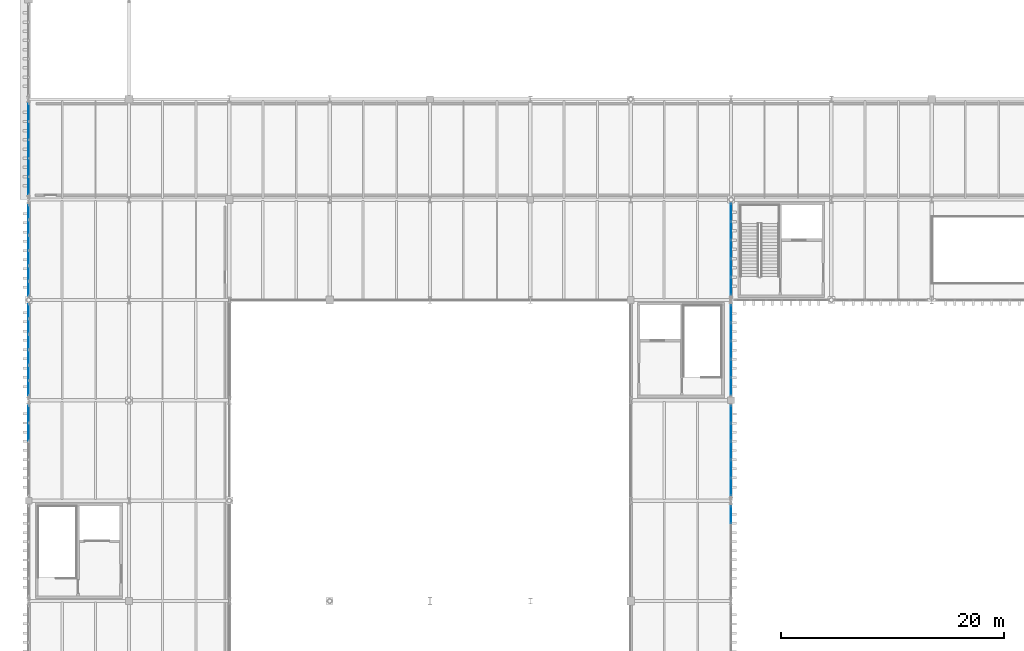
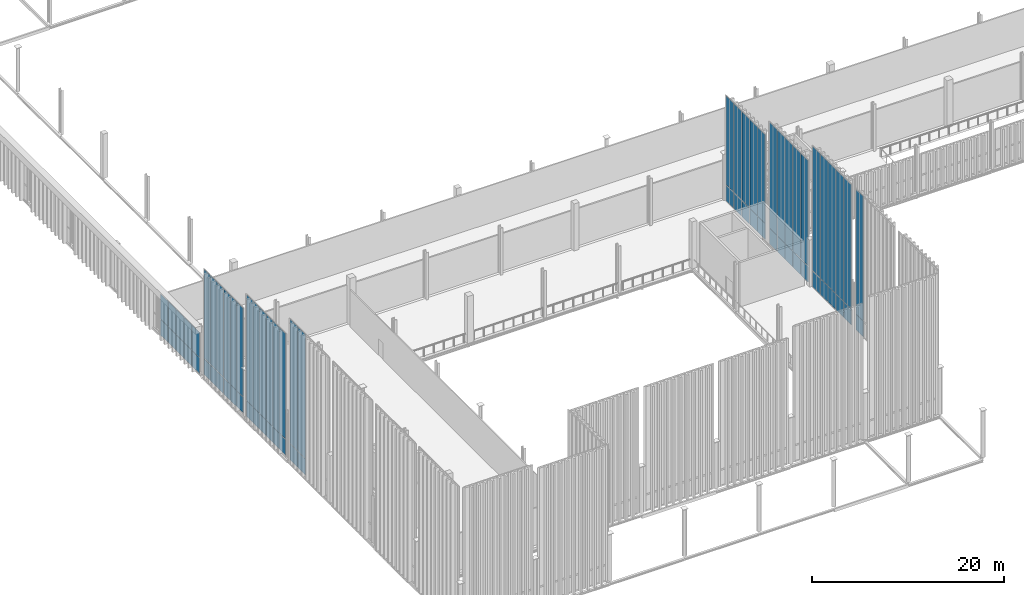
# One storey, part 183 of 237: 70 plates, 8 elements without a shape of their own.
"""IFC4 building model written with IfcOpenShell, lengths in metres."""

from ifc_helpers import new_model, si_unit, direction, frame, origin, origin_2d, place, context, subcontext, project, spatial, rectangle, extrude, material, layer, layer_set, type_object, element, aggregate, save


model = new_model("IFC4")

# Units and contexts
model_context = context("Model", 3, precision=1e-05, world=origin(), true_north=direction((0.0, 1.0)))
body_context = subcontext(model_context, "Body", "Model", "MODEL_VIEW")
ifc_project = project(units=[si_unit("LENGTHUNIT", "METRE"), si_unit("AREAUNIT", "SQUARE_METRE"), si_unit("VOLUMEUNIT", "CUBIC_METRE"), si_unit("PLANEANGLEUNIT", "RADIAN"), si_unit("MASSUNIT", "GRAM", prefix="KILO")], contexts=[model_context])

# Site, building, storey
site_placement = place(None, origin())
site = spatial("IfcSite", under=ifc_project, at=site_placement, CompositionType="ELEMENT")
building_placement = place(site_placement, origin())
building = spatial("IfcBuilding", under=site, at=building_placement, Name="Barlavento Convention Centre", CompositionType="ELEMENT")
storey_placement = place(building_placement, frame((0.0, 0.0, 12.0)))
storey = spatial("IfcBuildingStorey", under=building, at=storey_placement, Name="L02", CompositionType="ELEMENT", Elevation=12.0)

# Curtain wall, plates
ifc_material_1 = material(Name="Powder-coated aluminium and Low-E glass", Category="aluminium")
ifc_layer_1 = layer(ifc_material_1, 0.18994140625)
ifc_layer_set_1 = layer_set([ifc_layer_1], Name="ARC-CW-CONG-L02")
curtain_wall_type_1 = type_object("IfcCurtainWallType", Name="ARC-CW-CONG-L02", PredefinedType="NOTDEFINED", material=ifc_layer_set_1)
curtain_wall_1_placement = place(storey_placement, origin())
curtain_wall_1 = element("IfcCurtainWall", 1, at=curtain_wall_1_placement, inside=storey, type_object=curtain_wall_type_1, Name="L02 unitised curtain wall CW02", PredefinedType="NOTDEFINED")
ifc_material_2 = material(Name="Triple-glazed typhoon vision glass", Category="glass")
ifc_layer_2 = layer(ifc_material_2, 0.035888671875)
ifc_layer_set_2 = layer_set([ifc_layer_2], Name="ARC-CWP-GLZ36")
plate_type_1 = type_object("IfcPlateType", Name="ARC-CWP-GLZ36", PredefinedType="CURTAIN_PANEL", material=ifc_layer_set_2)
plate_1_placement = place(storey_placement, frame((0.0, 33.147705078125, 0.06982421875), z_axis=(0.0, 0.0, 1.0), x_axis=(0.0, 1.0, 0.0)))
plate_1 = element("IfcPlate", 2, at=plate_1_placement, type_object=plate_type_1, Name="CW02 panel 4.1", PredefinedType="CURTAIN_PANEL", context=body_context, shape_type="SweptSolid", body=[
    extrude(rectangle(XDim=1.56591796875, YDim=0.035888671875, at=origin_2d()), origin(), (0.0, 0.0, 1.0), 1.9951171875),
])
plate_2_placement = place(storey_placement, frame((0.0, 33.147705078125, 2.135009765625), z_axis=(0.0, 0.0, 1.0), x_axis=(0.0, 1.0, 0.0)))
plate_2 = element("IfcPlate", 3, at=plate_2_placement, type_object=plate_type_1, Name="CW02 panel 4.2", PredefinedType="CURTAIN_PANEL", context=body_context, shape_type="SweptSolid", body=[
    extrude(rectangle(XDim=1.56591796875, YDim=0.035888671875, at=origin_2d()), origin(), (0.0, 0.0, 1.0), 15.83203125),
])
plate_3_placement = place(storey_placement, frame((0.0, 34.769775390625, 0.06982421875), z_axis=(0.0, 0.0, 1.0), x_axis=(0.0, 1.0, 0.0)))
plate_3 = element("IfcPlate", 4, at=plate_3_placement, type_object=plate_type_1, Name="CW02 panel 5.1", PredefinedType="CURTAIN_PANEL", context=body_context, shape_type="SweptSolid", body=[
    extrude(rectangle(XDim=1.5283203125, YDim=0.035888671875, at=origin_2d()), origin(), (0.0, 0.0, 1.0), 1.9951171875),
])
plate_4_placement = place(storey_placement, frame((0.0, 34.769775390625, 2.135009765625), z_axis=(0.0, 0.0, 1.0), x_axis=(0.0, 1.0, 0.0)))
plate_4 = element("IfcPlate", 5, at=plate_4_placement, type_object=plate_type_1, Name="CW02 panel 5.2", PredefinedType="CURTAIN_PANEL", context=body_context, shape_type="SweptSolid", body=[
    extrude(rectangle(XDim=1.5283203125, YDim=0.035888671875, at=origin_2d()), origin(), (0.0, 0.0, 1.0), 15.83203125),
])
aggregate(curtain_wall_1, [plate_1, plate_2, plate_3, plate_4])

curtain_wall_2_placement = place(storey_placement, origin())
curtain_wall_2 = element("IfcCurtainWall", 6, at=curtain_wall_2_placement, inside=storey, type_object=curtain_wall_type_1, Name="L02 unitised curtain wall CW02", PredefinedType="NOTDEFINED")
plate_5_placement = place(storey_placement, frame((0.0, 37.1015625, 0.06982421875), z_axis=(0.0, 0.0, 1.0), x_axis=(0.0, 1.0, 0.0)))
plate_5 = element("IfcPlate", 7, at=plate_5_placement, type_object=plate_type_1, Name="CW02 panel 1.1", PredefinedType="CURTAIN_PANEL", context=body_context, shape_type="SweptSolid", body=[
    extrude(rectangle(XDim=1.27099609375, YDim=0.035888671875, at=origin_2d()), origin(), (0.0, 0.0, 1.0), 1.9951171875),
])
plate_6_placement = place(storey_placement, frame((0.0, 37.1015625, 2.135009765625), z_axis=(0.0, 0.0, 1.0), x_axis=(0.0, 1.0, 0.0)))
plate_6 = element("IfcPlate", 8, at=plate_6_placement, type_object=plate_type_1, Name="CW02 panel 1.2", PredefinedType="CURTAIN_PANEL", context=body_context, shape_type="SweptSolid", body=[
    extrude(rectangle(XDim=1.27099609375, YDim=0.035888671875, at=origin_2d()), origin(), (0.0, 0.0, 1.0), 13.43603515625),
])
plate_7_placement = place(storey_placement, frame((0.0, 38.46630859375, 0.06982421875), z_axis=(0.0, 0.0, 1.0), x_axis=(0.0, 1.0, 0.0)))
plate_7 = element("IfcPlate", 9, at=plate_7_placement, type_object=plate_type_1, Name="CW02 panel 2.1", PredefinedType="CURTAIN_PANEL", context=body_context, shape_type="SweptSolid", body=[
    extrude(rectangle(XDim=1.308349609375, YDim=0.035888671875, at=origin_2d()), origin(), (0.0, 0.0, 1.0), 1.9951171875),
])
plate_8_placement = place(storey_placement, frame((0.0, 38.46630859375, 2.135009765625), z_axis=(0.0, 0.0, 1.0), x_axis=(0.0, 1.0, 0.0)))
plate_8 = element("IfcPlate", 10, at=plate_8_placement, type_object=plate_type_1, Name="CW02 panel 2.2", PredefinedType="CURTAIN_PANEL", context=body_context, shape_type="SweptSolid", body=[
    extrude(rectangle(XDim=1.308349609375, YDim=0.035888671875, at=origin_2d()), origin(), (0.0, 0.0, 1.0), 13.43603515625),
])
plate_9_placement = place(storey_placement, frame((0.0, 39.849609375, 0.06982421875), z_axis=(0.0, 0.0, 1.0), x_axis=(0.0, 1.0, 0.0)))
plate_9 = element("IfcPlate", 11, at=plate_9_placement, type_object=plate_type_1, Name="CW02 panel 3.1", PredefinedType="CURTAIN_PANEL", context=body_context, shape_type="SweptSolid", body=[
    extrude(rectangle(XDim=1.308349609375, YDim=0.035888671875, at=origin_2d()), origin(), (0.0, 0.0, 1.0), 1.9951171875),
])
plate_10_placement = place(storey_placement, frame((0.0, 39.849609375, 2.135009765625), z_axis=(0.0, 0.0, 1.0), x_axis=(0.0, 1.0, 0.0)))
plate_10 = element("IfcPlate", 12, at=plate_10_placement, type_object=plate_type_1, Name="CW02 panel 3.2", PredefinedType="CURTAIN_PANEL", context=body_context, shape_type="SweptSolid", body=[
    extrude(rectangle(XDim=1.308349609375, YDim=0.035888671875, at=origin_2d()), origin(), (0.0, 0.0, 1.0), 13.43603515625),
])
plate_11_placement = place(storey_placement, frame((0.0, 41.233154296875, 0.06982421875), z_axis=(0.0, 0.0, 1.0), x_axis=(0.0, 1.0, 0.0)))
plate_11 = element("IfcPlate", 13, at=plate_11_placement, type_object=plate_type_1, Name="CW02 panel 4.1", PredefinedType="CURTAIN_PANEL", context=body_context, shape_type="SweptSolid", body=[
    extrude(rectangle(XDim=1.308349609375, YDim=0.035888671875, at=origin_2d()), origin(), (0.0, 0.0, 1.0), 1.9951171875),
])
plate_12_placement = place(storey_placement, frame((0.0, 41.233154296875, 2.135009765625), z_axis=(0.0, 0.0, 1.0), x_axis=(0.0, 1.0, 0.0)))
plate_12 = element("IfcPlate", 14, at=plate_12_placement, type_object=plate_type_1, Name="CW02 panel 4.2", PredefinedType="CURTAIN_PANEL", context=body_context, shape_type="SweptSolid", body=[
    extrude(rectangle(XDim=1.308349609375, YDim=0.035888671875, at=origin_2d()), origin(), (0.0, 0.0, 1.0), 13.43603515625),
])
plate_13_placement = place(storey_placement, frame((0.0, 42.61669921875, 0.06982421875), z_axis=(0.0, 0.0, 1.0), x_axis=(0.0, 1.0, 0.0)))
plate_13 = element("IfcPlate", 15, at=plate_13_placement, type_object=plate_type_1, Name="CW02 panel 5.1", PredefinedType="CURTAIN_PANEL", context=body_context, shape_type="SweptSolid", body=[
    extrude(rectangle(XDim=1.308349609375, YDim=0.035888671875, at=origin_2d()), origin(), (0.0, 0.0, 1.0), 1.9951171875),
])
plate_14_placement = place(storey_placement, frame((0.0, 42.61669921875, 2.135009765625), z_axis=(0.0, 0.0, 1.0), x_axis=(0.0, 1.0, 0.0)))
plate_14 = element("IfcPlate", 16, at=plate_14_placement, type_object=plate_type_1, Name="CW02 panel 5.2", PredefinedType="CURTAIN_PANEL", context=body_context, shape_type="SweptSolid", body=[
    extrude(rectangle(XDim=1.308349609375, YDim=0.035888671875, at=origin_2d()), origin(), (0.0, 0.0, 1.0), 13.43603515625),
])
plate_15_placement = place(storey_placement, frame((0.0, 43.981201171875, 0.06982421875), z_axis=(0.0, 0.0, 1.0), x_axis=(0.0, 1.0, 0.0)))
plate_15 = element("IfcPlate", 17, at=plate_15_placement, type_object=plate_type_1, Name="CW02 panel 6.1", PredefinedType="CURTAIN_PANEL", context=body_context, shape_type="SweptSolid", body=[
    extrude(rectangle(XDim=1.27099609375, YDim=0.035888671875, at=origin_2d()), origin(), (0.0, 0.0, 1.0), 1.9951171875),
])
plate_16_placement = place(storey_placement, frame((0.0, 43.981201171875, 2.135009765625), z_axis=(0.0, 0.0, 1.0), x_axis=(0.0, 1.0, 0.0)))
plate_16 = element("IfcPlate", 18, at=plate_16_placement, type_object=plate_type_1, Name="CW02 panel 6.2", PredefinedType="CURTAIN_PANEL", context=body_context, shape_type="SweptSolid", body=[
    extrude(rectangle(XDim=1.27099609375, YDim=0.035888671875, at=origin_2d()), origin(), (0.0, 0.0, 1.0), 13.43603515625),
])
aggregate(curtain_wall_2, [plate_5, plate_6, plate_7, plate_8, plate_9, plate_10, plate_11, plate_12, plate_13, plate_14, plate_15, plate_16])

curtain_wall_3_placement = place(storey_placement, origin())
curtain_wall_3 = element("IfcCurtainWall", 19, at=curtain_wall_3_placement, inside=storey, type_object=curtain_wall_type_1, Name="L02 unitised curtain wall CW02", PredefinedType="NOTDEFINED")
plate_17_placement = place(storey_placement, frame((0.0, 46.0146484375, 0.06982421875), z_axis=(0.0, 0.0, 1.0), x_axis=(0.0, 1.0, 0.0)))
plate_17 = element("IfcPlate", 20, at=plate_17_placement, type_object=plate_type_1, Name="CW02 panel 1.1", PredefinedType="CURTAIN_PANEL", context=body_context, shape_type="SweptSolid", body=[
    extrude(rectangle(XDim=1.262939453125, YDim=0.035888671875, at=origin_2d()), origin(), (0.0, 0.0, 1.0), 1.9951171875),
])
plate_18_placement = place(storey_placement, frame((0.0, 46.0146484375, 2.134765625), z_axis=(0.0, 0.0, 1.0), x_axis=(0.0, 1.0, 0.0)))
plate_18 = element("IfcPlate", 21, at=plate_18_placement, type_object=plate_type_1, Name="CW02 panel 1.2", PredefinedType="CURTAIN_PANEL", context=body_context, shape_type="SweptSolid", body=[
    extrude(rectangle(XDim=1.262939453125, YDim=0.035888671875, at=origin_2d()), origin(), (0.0, 0.0, 1.0), 11.298095703125),
])
plate_19_placement = place(storey_placement, frame((0.0, 47.371337890625, 0.06982421875), z_axis=(0.0, 0.0, 1.0), x_axis=(0.0, 1.0, 0.0)))
plate_19 = element("IfcPlate", 22, at=plate_19_placement, type_object=plate_type_1, Name="CW02 panel 2.1", PredefinedType="CURTAIN_PANEL", context=body_context, shape_type="SweptSolid", body=[
    extrude(rectangle(XDim=1.300537109375, YDim=0.035888671875, at=origin_2d()), origin(), (0.0, 0.0, 1.0), 1.9951171875),
])
plate_20_placement = place(storey_placement, frame((0.0, 47.371337890625, 2.134765625), z_axis=(0.0, 0.0, 1.0), x_axis=(0.0, 1.0, 0.0)))
plate_20 = element("IfcPlate", 23, at=plate_20_placement, type_object=plate_type_1, Name="CW02 panel 2.2", PredefinedType="CURTAIN_PANEL", context=body_context, shape_type="SweptSolid", body=[
    extrude(rectangle(XDim=1.300537109375, YDim=0.035888671875, at=origin_2d()), origin(), (0.0, 0.0, 1.0), 11.298095703125),
])
plate_21_placement = place(storey_placement, frame((0.0, 48.746826171875, 0.06982421875), z_axis=(0.0, 0.0, 1.0), x_axis=(0.0, 1.0, 0.0)))
plate_21 = element("IfcPlate", 24, at=plate_21_placement, type_object=plate_type_1, Name="CW02 panel 3.1", PredefinedType="CURTAIN_PANEL", context=body_context, shape_type="SweptSolid", body=[
    extrude(rectangle(XDim=1.300537109375, YDim=0.035888671875, at=origin_2d()), origin(), (0.0, 0.0, 1.0), 1.9951171875),
])
plate_22_placement = place(storey_placement, frame((0.0, 48.746826171875, 2.134765625), z_axis=(0.0, 0.0, 1.0), x_axis=(0.0, 1.0, 0.0)))
plate_22 = element("IfcPlate", 25, at=plate_22_placement, type_object=plate_type_1, Name="CW02 panel 3.2", PredefinedType="CURTAIN_PANEL", context=body_context, shape_type="SweptSolid", body=[
    extrude(rectangle(XDim=1.300537109375, YDim=0.035888671875, at=origin_2d()), origin(), (0.0, 0.0, 1.0), 11.298095703125),
])
plate_23_placement = place(storey_placement, frame((0.0, 50.122314453125, 0.06982421875), z_axis=(0.0, 0.0, 1.0), x_axis=(0.0, 1.0, 0.0)))
plate_23 = element("IfcPlate", 26, at=plate_23_placement, type_object=plate_type_1, Name="CW02 panel 4.1", PredefinedType="CURTAIN_PANEL", context=body_context, shape_type="SweptSolid", body=[
    extrude(rectangle(XDim=1.300537109375, YDim=0.035888671875, at=origin_2d()), origin(), (0.0, 0.0, 1.0), 1.9951171875),
])
plate_24_placement = place(storey_placement, frame((0.0, 50.122314453125, 2.134765625), z_axis=(0.0, 0.0, 1.0), x_axis=(0.0, 1.0, 0.0)))
plate_24 = element("IfcPlate", 27, at=plate_24_placement, type_object=plate_type_1, Name="CW02 panel 4.2", PredefinedType="CURTAIN_PANEL", context=body_context, shape_type="SweptSolid", body=[
    extrude(rectangle(XDim=1.300537109375, YDim=0.035888671875, at=origin_2d()), origin(), (0.0, 0.0, 1.0), 11.298095703125),
])
plate_25_placement = place(storey_placement, frame((0.0, 51.497802734375, 0.06982421875), z_axis=(0.0, 0.0, 1.0), x_axis=(0.0, 1.0, 0.0)))
plate_25 = element("IfcPlate", 28, at=plate_25_placement, type_object=plate_type_1, Name="CW02 panel 5.1", PredefinedType="CURTAIN_PANEL", context=body_context, shape_type="SweptSolid", body=[
    extrude(rectangle(XDim=1.300537109375, YDim=0.035888671875, at=origin_2d()), origin(), (0.0, 0.0, 1.0), 1.9951171875),
])
plate_26_placement = place(storey_placement, frame((0.0, 51.497802734375, 2.134765625), z_axis=(0.0, 0.0, 1.0), x_axis=(0.0, 1.0, 0.0)))
plate_26 = element("IfcPlate", 29, at=plate_26_placement, type_object=plate_type_1, Name="CW02 panel 5.2", PredefinedType="CURTAIN_PANEL", context=body_context, shape_type="SweptSolid", body=[
    extrude(rectangle(XDim=1.300537109375, YDim=0.035888671875, at=origin_2d()), origin(), (0.0, 0.0, 1.0), 11.298095703125),
])
plate_27_placement = place(storey_placement, frame((0.0, 52.8544921875, 0.06982421875), z_axis=(0.0, 0.0, 1.0), x_axis=(0.0, 1.0, 0.0)))
plate_27 = element("IfcPlate", 30, at=plate_27_placement, type_object=plate_type_1, Name="CW02 panel 6.1", PredefinedType="CURTAIN_PANEL", context=body_context, shape_type="SweptSolid", body=[
    extrude(rectangle(XDim=1.262939453125, YDim=0.035888671875, at=origin_2d()), origin(), (0.0, 0.0, 1.0), 1.9951171875),
])
plate_28_placement = place(storey_placement, frame((0.0, 52.8544921875, 2.134765625), z_axis=(0.0, 0.0, 1.0), x_axis=(0.0, 1.0, 0.0)))
plate_28 = element("IfcPlate", 31, at=plate_28_placement, type_object=plate_type_1, Name="CW02 panel 6.2", PredefinedType="CURTAIN_PANEL", context=body_context, shape_type="SweptSolid", body=[
    extrude(rectangle(XDim=1.262939453125, YDim=0.035888671875, at=origin_2d()), origin(), (0.0, 0.0, 1.0), 11.298095703125),
])
aggregate(curtain_wall_3, [plate_17, plate_18, plate_19, plate_20, plate_21, plate_22, plate_23, plate_24, plate_25, plate_26, plate_27, plate_28])

curtain_wall_4_placement = place(storey_placement, origin())
curtain_wall_4 = element("IfcCurtainWall", 32, at=curtain_wall_4_placement, inside=storey, type_object=curtain_wall_type_1, Name="L02 unitised curtain wall CW02", PredefinedType="NOTDEFINED")
plate_29_placement = place(storey_placement, frame((63.0, 25.75830078125, 0.06982421875), z_axis=(0.0, 0.0, 1.0), x_axis=(0.0, 1.0, 0.0)))
plate_29 = element("IfcPlate", 33, at=plate_29_placement, type_object=plate_type_1, Name="CW02 panel 5.1", PredefinedType="CURTAIN_PANEL", context=body_context, shape_type="SweptSolid", body=[
    extrude(rectangle(XDim=1.5234375, YDim=0.035888671875, at=origin_2d()), origin(), (0.0, 0.0, 1.0), 1.9951171875),
])
plate_30_placement = place(storey_placement, frame((63.0, 25.75830078125, 2.135009765625), z_axis=(0.0, 0.0, 1.0), x_axis=(0.0, 1.0, 0.0)))
plate_30 = element("IfcPlate", 34, at=plate_30_placement, type_object=plate_type_1, Name="CW02 panel 5.2", PredefinedType="CURTAIN_PANEL", context=body_context, shape_type="SweptSolid", body=[
    extrude(rectangle(XDim=1.5234375, YDim=0.035888671875, at=origin_2d()), origin(), (0.0, 0.0, 1.0), 15.83203125),
])
aggregate(curtain_wall_4, [plate_29, plate_30])

curtain_wall_5_placement = place(storey_placement, origin())
curtain_wall_5 = element("IfcCurtainWall", 35, at=curtain_wall_5_placement, inside=storey, type_object=curtain_wall_type_1, Name="L02 unitised curtain wall CW02", PredefinedType="NOTDEFINED")
plate_31_placement = place(storey_placement, frame((63.0, 28.24267578125, 0.06982421875), z_axis=(0.0, 0.0, 1.0), x_axis=(0.0, 1.0, 0.0)))
plate_31 = element("IfcPlate", 36, at=plate_31_placement, type_object=plate_type_1, Name="CW02 panel 1.1", PredefinedType="CURTAIN_PANEL", context=body_context, shape_type="SweptSolid", body=[
    extrude(rectangle(XDim=1.525390625, YDim=0.035888671875, at=origin_2d()), origin(), (0.0, 0.0, 1.0), 1.9951171875),
])
plate_32_placement = place(storey_placement, frame((63.0, 28.24267578125, 2.135009765625), z_axis=(0.0, 0.0, 1.0), x_axis=(0.0, 1.0, 0.0)))
plate_32 = element("IfcPlate", 37, at=plate_32_placement, type_object=plate_type_1, Name="CW02 panel 1.2", PredefinedType="CURTAIN_PANEL", context=body_context, shape_type="SweptSolid", body=[
    extrude(rectangle(XDim=1.525390625, YDim=0.035888671875, at=origin_2d()), origin(), (0.0, 0.0, 1.0), 15.83203125),
])
plate_33_placement = place(storey_placement, frame((63.0, 29.862060546875, 0.06982421875), z_axis=(0.0, 0.0, 1.0), x_axis=(0.0, 1.0, 0.0)))
plate_33 = element("IfcPlate", 38, at=plate_33_placement, type_object=plate_type_1, Name="CW02 panel 2.1", PredefinedType="CURTAIN_PANEL", context=body_context, shape_type="SweptSolid", body=[
    extrude(rectangle(XDim=1.56298828125, YDim=0.035888671875, at=origin_2d()), origin(), (0.0, 0.0, 1.0), 1.9951171875),
])
plate_34_placement = place(storey_placement, frame((63.0, 29.862060546875, 2.135009765625), z_axis=(0.0, 0.0, 1.0), x_axis=(0.0, 1.0, 0.0)))
plate_34 = element("IfcPlate", 39, at=plate_34_placement, type_object=plate_type_1, Name="CW02 panel 2.2", PredefinedType="CURTAIN_PANEL", context=body_context, shape_type="SweptSolid", body=[
    extrude(rectangle(XDim=1.56298828125, YDim=0.035888671875, at=origin_2d()), origin(), (0.0, 0.0, 1.0), 15.83203125),
])
plate_35_placement = place(storey_placement, frame((63.0, 31.5, 0.06982421875), z_axis=(0.0, 0.0, 1.0), x_axis=(0.0, 1.0, 0.0)))
plate_35 = element("IfcPlate", 40, at=plate_35_placement, type_object=plate_type_1, Name="CW02 panel 3.1", PredefinedType="CURTAIN_PANEL", context=body_context, shape_type="SweptSolid", body=[
    extrude(rectangle(XDim=1.56298828125, YDim=0.035888671875, at=origin_2d()), origin(), (0.0, 0.0, 1.0), 1.9951171875),
])
plate_36_placement = place(storey_placement, frame((63.0, 31.5, 2.135009765625), z_axis=(0.0, 0.0, 1.0), x_axis=(0.0, 1.0, 0.0)))
plate_36 = element("IfcPlate", 41, at=plate_36_placement, type_object=plate_type_1, Name="CW02 panel 3.2", PredefinedType="CURTAIN_PANEL", context=body_context, shape_type="SweptSolid", body=[
    extrude(rectangle(XDim=1.56298828125, YDim=0.035888671875, at=origin_2d()), origin(), (0.0, 0.0, 1.0), 15.83203125),
])
plate_37_placement = place(storey_placement, frame((63.0, 33.137939453125, 0.06982421875), z_axis=(0.0, 0.0, 1.0), x_axis=(0.0, 1.0, 0.0)))
plate_37 = element("IfcPlate", 42, at=plate_37_placement, type_object=plate_type_1, Name="CW02 panel 4.1", PredefinedType="CURTAIN_PANEL", context=body_context, shape_type="SweptSolid", body=[
    extrude(rectangle(XDim=1.56298828125, YDim=0.035888671875, at=origin_2d()), origin(), (0.0, 0.0, 1.0), 1.9951171875),
])
plate_38_placement = place(storey_placement, frame((63.0, 33.137939453125, 2.135009765625), z_axis=(0.0, 0.0, 1.0), x_axis=(0.0, 1.0, 0.0)))
plate_38 = element("IfcPlate", 43, at=plate_38_placement, type_object=plate_type_1, Name="CW02 panel 4.2", PredefinedType="CURTAIN_PANEL", context=body_context, shape_type="SweptSolid", body=[
    extrude(rectangle(XDim=1.56298828125, YDim=0.035888671875, at=origin_2d()), origin(), (0.0, 0.0, 1.0), 15.83203125),
])
plate_39_placement = place(storey_placement, frame((63.0, 34.75732421875, 0.06982421875), z_axis=(0.0, 0.0, 1.0), x_axis=(0.0, 1.0, 0.0)))
plate_39 = element("IfcPlate", 44, at=plate_39_placement, type_object=plate_type_1, Name="CW02 panel 5.1", PredefinedType="CURTAIN_PANEL", context=body_context, shape_type="SweptSolid", body=[
    extrude(rectangle(XDim=1.525390625, YDim=0.035888671875, at=origin_2d()), origin(), (0.0, 0.0, 1.0), 1.9951171875),
])
plate_40_placement = place(storey_placement, frame((63.0, 34.75732421875, 2.135009765625), z_axis=(0.0, 0.0, 1.0), x_axis=(0.0, 1.0, 0.0)))
plate_40 = element("IfcPlate", 45, at=plate_40_placement, type_object=plate_type_1, Name="CW02 panel 5.2", PredefinedType="CURTAIN_PANEL", context=body_context, shape_type="SweptSolid", body=[
    extrude(rectangle(XDim=1.525390625, YDim=0.035888671875, at=origin_2d()), origin(), (0.0, 0.0, 1.0), 15.83203125),
])
aggregate(curtain_wall_5, [plate_31, plate_32, plate_33, plate_34, plate_35, plate_36, plate_37, plate_38, plate_39, plate_40])

curtain_wall_6_placement = place(storey_placement, origin())
curtain_wall_6 = element("IfcCurtainWall", 46, at=curtain_wall_6_placement, inside=storey, type_object=curtain_wall_type_1, Name="L02 unitised curtain wall CW02", PredefinedType="NOTDEFINED")
plate_41_placement = place(storey_placement, frame((63.0, 37.244140625, 0.06982421875), z_axis=(0.0, 0.0, 1.0), x_axis=(0.0, 1.0, 0.0)))
plate_41 = element("IfcPlate", 47, at=plate_41_placement, type_object=plate_type_1, Name="CW02 panel 1.1", PredefinedType="CURTAIN_PANEL", context=body_context, shape_type="SweptSolid", body=[
    extrude(rectangle(XDim=1.5283203125, YDim=0.035888671875, at=origin_2d()), origin(), (0.0, 0.0, 1.0), 1.9951171875),
])
plate_42_placement = place(storey_placement, frame((63.0, 37.244140625, 2.135009765625), z_axis=(0.0, 0.0, 1.0), x_axis=(0.0, 1.0, 0.0)))
plate_42 = element("IfcPlate", 48, at=plate_42_placement, type_object=plate_type_1, Name="CW02 panel 1.2", PredefinedType="CURTAIN_PANEL", context=body_context, shape_type="SweptSolid", body=[
    extrude(rectangle(XDim=1.5283203125, YDim=0.035888671875, at=origin_2d()), origin(), (0.0, 0.0, 1.0), 13.43603515625),
])
plate_43_placement = place(storey_placement, frame((63.0, 38.8662109375, 0.06982421875), z_axis=(0.0, 0.0, 1.0), x_axis=(0.0, 1.0, 0.0)))
plate_43 = element("IfcPlate", 49, at=plate_43_placement, type_object=plate_type_1, Name="CW02 panel 2.1", PredefinedType="CURTAIN_PANEL", context=body_context, shape_type="SweptSolid", body=[
    extrude(rectangle(XDim=1.56591796875, YDim=0.035888671875, at=origin_2d()), origin(), (0.0, 0.0, 1.0), 1.9951171875),
])
plate_44_placement = place(storey_placement, frame((63.0, 38.8662109375, 2.135009765625), z_axis=(0.0, 0.0, 1.0), x_axis=(0.0, 1.0, 0.0)))
plate_44 = element("IfcPlate", 50, at=plate_44_placement, type_object=plate_type_1, Name="CW02 panel 2.2", PredefinedType="CURTAIN_PANEL", context=body_context, shape_type="SweptSolid", body=[
    extrude(rectangle(XDim=1.56591796875, YDim=0.035888671875, at=origin_2d()), origin(), (0.0, 0.0, 1.0), 13.43603515625),
])
plate_45_placement = place(storey_placement, frame((63.0, 40.507080078125, 0.06982421875), z_axis=(0.0, 0.0, 1.0), x_axis=(0.0, 1.0, 0.0)))
plate_45 = element("IfcPlate", 51, at=plate_45_placement, type_object=plate_type_1, Name="CW02 panel 3.1", PredefinedType="CURTAIN_PANEL", context=body_context, shape_type="SweptSolid", body=[
    extrude(rectangle(XDim=1.56591796875, YDim=0.035888671875, at=origin_2d()), origin(), (0.0, 0.0, 1.0), 1.9951171875),
])
plate_46_placement = place(storey_placement, frame((63.0, 40.507080078125, 2.135009765625), z_axis=(0.0, 0.0, 1.0), x_axis=(0.0, 1.0, 0.0)))
plate_46 = element("IfcPlate", 52, at=plate_46_placement, type_object=plate_type_1, Name="CW02 panel 3.2", PredefinedType="CURTAIN_PANEL", context=body_context, shape_type="SweptSolid", body=[
    extrude(rectangle(XDim=1.56591796875, YDim=0.035888671875, at=origin_2d()), origin(), (0.0, 0.0, 1.0), 13.43603515625),
])
plate_47_placement = place(storey_placement, frame((63.0, 42.147705078125, 0.06982421875), z_axis=(0.0, 0.0, 1.0), x_axis=(0.0, 1.0, 0.0)))
plate_47 = element("IfcPlate", 53, at=plate_47_placement, type_object=plate_type_1, Name="CW02 panel 4.1", PredefinedType="CURTAIN_PANEL", context=body_context, shape_type="SweptSolid", body=[
    extrude(rectangle(XDim=1.56591796875, YDim=0.035888671875, at=origin_2d()), origin(), (0.0, 0.0, 1.0), 1.9951171875),
])
plate_48_placement = place(storey_placement, frame((63.0, 42.147705078125, 2.135009765625), z_axis=(0.0, 0.0, 1.0), x_axis=(0.0, 1.0, 0.0)))
plate_48 = element("IfcPlate", 54, at=plate_48_placement, type_object=plate_type_1, Name="CW02 panel 4.2", PredefinedType="CURTAIN_PANEL", context=body_context, shape_type="SweptSolid", body=[
    extrude(rectangle(XDim=1.56591796875, YDim=0.035888671875, at=origin_2d()), origin(), (0.0, 0.0, 1.0), 13.43603515625),
])
plate_49_placement = place(storey_placement, frame((63.0, 43.769775390625, 0.06982421875), z_axis=(0.0, 0.0, 1.0), x_axis=(0.0, 1.0, 0.0)))
plate_49 = element("IfcPlate", 55, at=plate_49_placement, type_object=plate_type_1, Name="CW02 panel 5.1", PredefinedType="CURTAIN_PANEL", context=body_context, shape_type="SweptSolid", body=[
    extrude(rectangle(XDim=1.5283203125, YDim=0.035888671875, at=origin_2d()), origin(), (0.0, 0.0, 1.0), 1.9951171875),
])
plate_50_placement = place(storey_placement, frame((63.0, 43.769775390625, 2.135009765625), z_axis=(0.0, 0.0, 1.0), x_axis=(0.0, 1.0, 0.0)))
plate_50 = element("IfcPlate", 56, at=plate_50_placement, type_object=plate_type_1, Name="CW02 panel 5.2", PredefinedType="CURTAIN_PANEL", context=body_context, shape_type="SweptSolid", body=[
    extrude(rectangle(XDim=1.5283203125, YDim=0.035888671875, at=origin_2d()), origin(), (0.0, 0.0, 1.0), 13.43603515625),
])
aggregate(curtain_wall_6, [plate_41, plate_42, plate_43, plate_44, plate_45, plate_46, plate_47, plate_48, plate_49, plate_50])

curtain_wall_7_placement = place(storey_placement, origin())
curtain_wall_7 = element("IfcCurtainWall", 57, at=curtain_wall_7_placement, inside=storey, type_object=curtain_wall_type_1, Name="L02 unitised curtain wall CW02", PredefinedType="NOTDEFINED")
plate_51_placement = place(storey_placement, frame((63.0, 46.23974609375, 0.06982421875), z_axis=(0.0, 0.0, 1.0), x_axis=(0.0, 1.0, 0.0)))
plate_51 = element("IfcPlate", 58, at=plate_51_placement, type_object=plate_type_1, Name="CW02 panel 1.1", PredefinedType="CURTAIN_PANEL", context=body_context, shape_type="SweptSolid", body=[
    extrude(rectangle(XDim=1.547607421875, YDim=0.035888671875, at=origin_2d()), origin(), (0.0, 0.0, 1.0), 1.9951171875),
])
plate_52_placement = place(storey_placement, frame((63.0, 46.23974609375, 2.134765625), z_axis=(0.0, 0.0, 1.0), x_axis=(0.0, 1.0, 0.0)))
plate_52 = element("IfcPlate", 59, at=plate_52_placement, type_object=plate_type_1, Name="CW02 panel 1.2", PredefinedType="CURTAIN_PANEL", context=body_context, shape_type="SweptSolid", body=[
    extrude(rectangle(XDim=1.547607421875, YDim=0.035888671875, at=origin_2d()), origin(), (0.0, 0.0, 1.0), 11.298095703125),
])
plate_53_placement = place(storey_placement, frame((63.0, 47.88134765625, 0.06982421875), z_axis=(0.0, 0.0, 1.0), x_axis=(0.0, 1.0, 0.0)))
plate_53 = element("IfcPlate", 60, at=plate_53_placement, type_object=plate_type_1, Name="CW02 panel 2.1", PredefinedType="CURTAIN_PANEL", context=body_context, shape_type="SweptSolid", body=[
    extrude(rectangle(XDim=1.585205078125, YDim=0.035888671875, at=origin_2d()), origin(), (0.0, 0.0, 1.0), 1.9951171875),
])
plate_54_placement = place(storey_placement, frame((63.0, 47.88134765625, 2.134765625), z_axis=(0.0, 0.0, 1.0), x_axis=(0.0, 1.0, 0.0)))
plate_54 = element("IfcPlate", 61, at=plate_54_placement, type_object=plate_type_1, Name="CW02 panel 2.2", PredefinedType="CURTAIN_PANEL", context=body_context, shape_type="SweptSolid", body=[
    extrude(rectangle(XDim=1.585205078125, YDim=0.035888671875, at=origin_2d()), origin(), (0.0, 0.0, 1.0), 11.298095703125),
])
plate_55_placement = place(storey_placement, frame((63.0, 49.54150390625, 0.06982421875), z_axis=(0.0, 0.0, 1.0), x_axis=(0.0, 1.0, 0.0)))
plate_55 = element("IfcPlate", 62, at=plate_55_placement, type_object=plate_type_1, Name="CW02 panel 3.1", PredefinedType="CURTAIN_PANEL", context=body_context, shape_type="SweptSolid", body=[
    extrude(rectangle(XDim=1.585205078125, YDim=0.035888671875, at=origin_2d()), origin(), (0.0, 0.0, 1.0), 1.9951171875),
])
plate_56_placement = place(storey_placement, frame((63.0, 49.54150390625, 2.134765625), z_axis=(0.0, 0.0, 1.0), x_axis=(0.0, 1.0, 0.0)))
plate_56 = element("IfcPlate", 63, at=plate_56_placement, type_object=plate_type_1, Name="CW02 panel 3.2", PredefinedType="CURTAIN_PANEL", context=body_context, shape_type="SweptSolid", body=[
    extrude(rectangle(XDim=1.585205078125, YDim=0.035888671875, at=origin_2d()), origin(), (0.0, 0.0, 1.0), 11.298095703125),
])
plate_57_placement = place(storey_placement, frame((63.0, 51.20166015625, 0.06982421875), z_axis=(0.0, 0.0, 1.0), x_axis=(0.0, 1.0, 0.0)))
plate_57 = element("IfcPlate", 64, at=plate_57_placement, type_object=plate_type_1, Name="CW02 panel 4.1", PredefinedType="CURTAIN_PANEL", context=body_context, shape_type="SweptSolid", body=[
    extrude(rectangle(XDim=1.585205078125, YDim=0.035888671875, at=origin_2d()), origin(), (0.0, 0.0, 1.0), 1.9951171875),
])
plate_58_placement = place(storey_placement, frame((63.0, 51.20166015625, 2.134765625), z_axis=(0.0, 0.0, 1.0), x_axis=(0.0, 1.0, 0.0)))
plate_58 = element("IfcPlate", 65, at=plate_58_placement, type_object=plate_type_1, Name="CW02 panel 4.2", PredefinedType="CURTAIN_PANEL", context=body_context, shape_type="SweptSolid", body=[
    extrude(rectangle(XDim=1.585205078125, YDim=0.035888671875, at=origin_2d()), origin(), (0.0, 0.0, 1.0), 11.298095703125),
])
plate_59_placement = place(storey_placement, frame((63.0, 52.843017578125, 0.06982421875), z_axis=(0.0, 0.0, 1.0), x_axis=(0.0, 1.0, 0.0)))
plate_59 = element("IfcPlate", 66, at=plate_59_placement, type_object=plate_type_1, Name="CW02 panel 5.1", PredefinedType="CURTAIN_PANEL", context=body_context, shape_type="SweptSolid", body=[
    extrude(rectangle(XDim=1.547607421875, YDim=0.035888671875, at=origin_2d()), origin(), (0.0, 0.0, 1.0), 1.9951171875),
])
plate_60_placement = place(storey_placement, frame((63.0, 52.843017578125, 2.134765625), z_axis=(0.0, 0.0, 1.0), x_axis=(0.0, 1.0, 0.0)))
plate_60 = element("IfcPlate", 67, at=plate_60_placement, type_object=plate_type_1, Name="CW02 panel 5.2", PredefinedType="CURTAIN_PANEL", context=body_context, shape_type="SweptSolid", body=[
    extrude(rectangle(XDim=1.547607421875, YDim=0.035888671875, at=origin_2d()), origin(), (0.0, 0.0, 1.0), 11.298095703125),
])
aggregate(curtain_wall_7, [plate_51, plate_52, plate_53, plate_54, plate_55, plate_56, plate_57, plate_58, plate_59, plate_60])

ifc_layer_3 = layer(ifc_material_1, 0.18505859375)
ifc_layer_set_3 = layer_set([ifc_layer_3], Name="ARC-CW-EXH-L02")
curtain_wall_type_2 = type_object("IfcCurtainWallType", Name="ARC-CW-EXH-L02", PredefinedType="NOTDEFINED", material=ifc_layer_set_3)
curtain_wall_8_placement = place(storey_placement, origin())
curtain_wall_8 = element("IfcCurtainWall", 68, at=curtain_wall_8_placement, inside=storey, type_object=curtain_wall_type_2, Name="L02 unitised curtain wall CW05", PredefinedType="NOTDEFINED")
ifc_material_3 = material(Name="Insulated spandrel glass panel", Category="glass")
ifc_layer_4 = layer(ifc_material_3, 0.0400390625)
ifc_layer_set_4 = layer_set([ifc_layer_4], Name="ARC-CWP-SPN40")
plate_type_2 = type_object("IfcPlateType", Name="ARC-CWP-SPN40", PredefinedType="CURTAIN_PANEL", material=ifc_layer_set_4)
plate_61_placement = place(storey_placement, frame((0.0, 55.254638671875, -0.43994140625), z_axis=(0.0, 0.0, 1.0), x_axis=(0.0, 1.0, 0.0)))
plate_61 = element("IfcPlate", 69, at=plate_61_placement, type_object=plate_type_2, Name="CW05 panel 1.1", PredefinedType="CURTAIN_PANEL", context=body_context, shape_type="SweptSolid", body=[
    extrude(rectangle(XDim=1.55126953125, YDim=0.0400390625, at=origin_2d()), origin(), (0.0, 0.0, 1.0), 2.010009765625),
])
plate_62_placement = place(storey_placement, frame((0.0, 55.254638671875, 1.6298828125), z_axis=(0.0, 0.0, 1.0), x_axis=(0.0, 1.0, 0.0)))
plate_62 = element("IfcPlate", 70, at=plate_62_placement, type_object=plate_type_2, Name="CW05 panel 1.2", PredefinedType="CURTAIN_PANEL", context=body_context, shape_type="SweptSolid", body=[
    extrude(rectangle(XDim=1.55126953125, YDim=0.0400390625, at=origin_2d()), origin(), (0.0, 0.0, 1.0), 3.159912109375),
])
plate_63_placement = place(storey_placement, frame((0.0, 56.88720703125, -0.43994140625), z_axis=(0.0, 0.0, 1.0), x_axis=(0.0, 1.0, 0.0)))
plate_63 = element("IfcPlate", 71, at=plate_63_placement, type_object=plate_type_2, Name="CW05 panel 2.1", PredefinedType="CURTAIN_PANEL", context=body_context, shape_type="SweptSolid", body=[
    extrude(rectangle(XDim=1.583740234375, YDim=0.0400390625, at=origin_2d()), origin(), (0.0, 0.0, 1.0), 2.010009765625),
])
plate_64_placement = place(storey_placement, frame((0.0, 56.88720703125, 1.6298828125), z_axis=(0.0, 0.0, 1.0), x_axis=(0.0, 1.0, 0.0)))
plate_64 = element("IfcPlate", 72, at=plate_64_placement, type_object=plate_type_2, Name="CW05 panel 2.2", PredefinedType="CURTAIN_PANEL", context=body_context, shape_type="SweptSolid", body=[
    extrude(rectangle(XDim=1.583740234375, YDim=0.0400390625, at=origin_2d()), origin(), (0.0, 0.0, 1.0), 3.159912109375),
])
plate_65_placement = place(storey_placement, frame((0.0, 58.535888671875, -0.43994140625), z_axis=(0.0, 0.0, 1.0), x_axis=(0.0, 1.0, 0.0)))
plate_65 = element("IfcPlate", 73, at=plate_65_placement, type_object=plate_type_2, Name="CW05 panel 3.1", PredefinedType="CURTAIN_PANEL", context=body_context, shape_type="SweptSolid", body=[
    extrude(rectangle(XDim=1.583740234375, YDim=0.0400390625, at=origin_2d()), origin(), (0.0, 0.0, 1.0), 2.010009765625),
])
plate_66_placement = place(storey_placement, frame((0.0, 58.535888671875, 1.6298828125), z_axis=(0.0, 0.0, 1.0), x_axis=(0.0, 1.0, 0.0)))
plate_66 = element("IfcPlate", 74, at=plate_66_placement, type_object=plate_type_2, Name="CW05 panel 3.2", PredefinedType="CURTAIN_PANEL", context=body_context, shape_type="SweptSolid", body=[
    extrude(rectangle(XDim=1.583740234375, YDim=0.0400390625, at=origin_2d()), origin(), (0.0, 0.0, 1.0), 3.159912109375),
])
plate_67_placement = place(storey_placement, frame((0.0, 60.184814453125, -0.43994140625), z_axis=(0.0, 0.0, 1.0), x_axis=(0.0, 1.0, 0.0)))
plate_67 = element("IfcPlate", 75, at=plate_67_placement, type_object=plate_type_2, Name="CW05 panel 4.1", PredefinedType="CURTAIN_PANEL", context=body_context, shape_type="SweptSolid", body=[
    extrude(rectangle(XDim=1.583740234375, YDim=0.0400390625, at=origin_2d()), origin(), (0.0, 0.0, 1.0), 2.010009765625),
])
plate_68_placement = place(storey_placement, frame((0.0, 60.184814453125, 1.6298828125), z_axis=(0.0, 0.0, 1.0), x_axis=(0.0, 1.0, 0.0)))
plate_68 = element("IfcPlate", 76, at=plate_68_placement, type_object=plate_type_2, Name="CW05 panel 4.2", PredefinedType="CURTAIN_PANEL", context=body_context, shape_type="SweptSolid", body=[
    extrude(rectangle(XDim=1.583740234375, YDim=0.0400390625, at=origin_2d()), origin(), (0.0, 0.0, 1.0), 3.159912109375),
])
plate_69_placement = place(storey_placement, frame((0.0, 61.8173828125, -0.43994140625), z_axis=(0.0, 0.0, 1.0), x_axis=(0.0, 1.0, 0.0)))
plate_69 = element("IfcPlate", 77, at=plate_69_placement, type_object=plate_type_2, Name="CW05 panel 5.1", PredefinedType="CURTAIN_PANEL", context=body_context, shape_type="SweptSolid", body=[
    extrude(rectangle(XDim=1.55126953125, YDim=0.0400390625, at=origin_2d()), origin(), (0.0, 0.0, 1.0), 2.010009765625),
])
plate_70_placement = place(storey_placement, frame((0.0, 61.8173828125, 1.6298828125), z_axis=(0.0, 0.0, 1.0), x_axis=(0.0, 1.0, 0.0)))
plate_70 = element("IfcPlate", 78, at=plate_70_placement, type_object=plate_type_2, Name="CW05 panel 5.2", PredefinedType="CURTAIN_PANEL", context=body_context, shape_type="SweptSolid", body=[
    extrude(rectangle(XDim=1.55126953125, YDim=0.0400390625, at=origin_2d()), origin(), (0.0, 0.0, 1.0), 3.159912109375),
])
aggregate(curtain_wall_8, [plate_61, plate_62, plate_63, plate_64, plate_65, plate_66, plate_67, plate_68, plate_69, plate_70])

save(model, "model.ifc")
